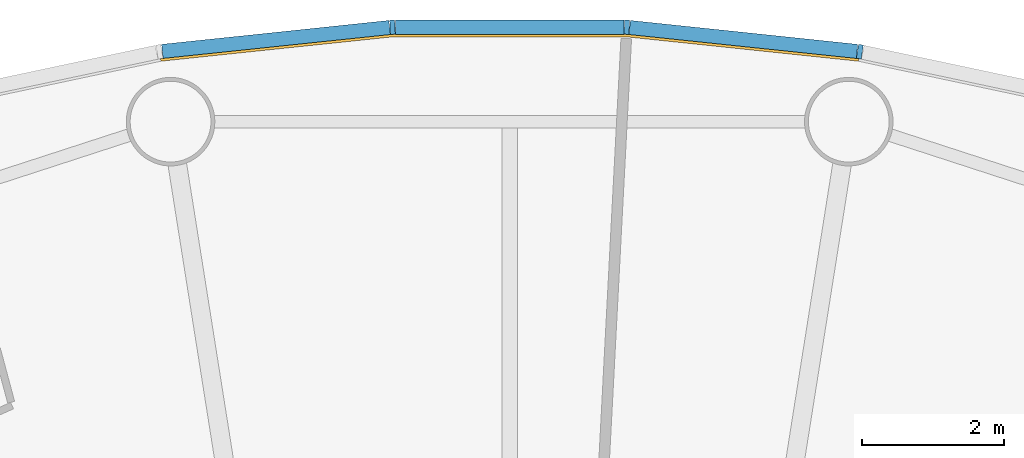
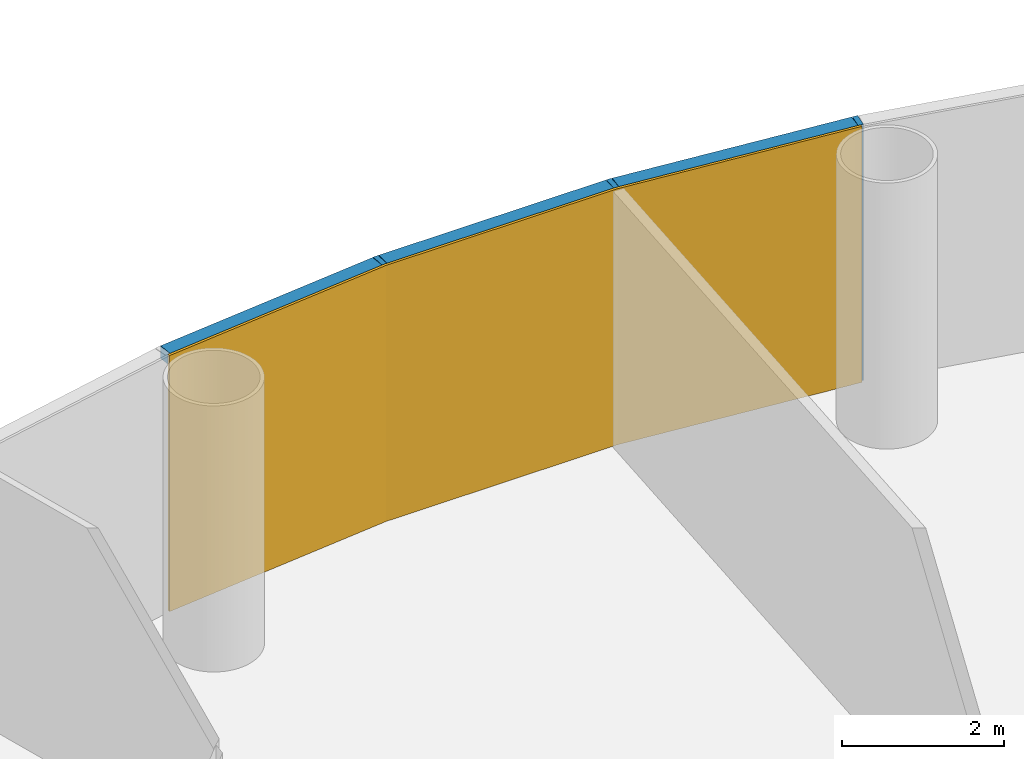
# One storey, part 11 of 13: 6 members, 1 curtain wall.
"""IFC4 building model written with IfcOpenShell, lengths in metres."""

from ifc_helpers import new_model, si_unit, direction, frame, origin, origin_2d, place, context, subcontext, project, spatial, polyline, rectangle, outline, extrude, material, layer, layer_set, material_profile, profile_set, type_object, element, aggregate, save


model = new_model("IFC4")

# Units and contexts
model_context = context("Model", 3, precision=1e-05, world=origin(), true_north=direction((0.0, 1.0)))
body_context = subcontext(model_context, "Body", "Model", "MODEL_VIEW")
ifc_project = project(units=[si_unit("LENGTHUNIT", "METRE"), si_unit("AREAUNIT", "SQUARE_METRE"), si_unit("VOLUMEUNIT", "CUBIC_METRE"), si_unit("PLANEANGLEUNIT", "RADIAN"), si_unit("MASSUNIT", "GRAM", prefix="KILO")], contexts=[model_context])

# Member
ifc_material_1 = material(Name="Anodised aluminium", Category="aluminium")
ifc_material_profile_1 = material_profile(ifc_material_1, rectangle(XDim=0.070068359375, YDim=0.199951171875, at=origin_2d()), Name="Mullion 70 x 200 mm anodised aluminium")
ifc_profile_set_1 = profile_set([ifc_material_profile_1], Name="Anodised aluminium")
member_type_1 = type_object("IfcMemberType", Name="Mullion 70 x 200 mm anodised aluminium", PredefinedType="MULLION", material=ifc_profile_set_1)
site_placement = place(None, origin())
building_placement = place(site_placement, origin())
storey_placement = place(building_placement, frame((0.0, 0.0, 88.0)))
member_1_placement = place(storey_placement, frame((94.943359375, 111.2109375, 0.0), z_axis=(0.0, 0.0, 1.0), x_axis=(-0.987688340595, 0.15643446504, 0.0)))
member_1 = element("IfcMember", 1, at=member_1_placement, type_object=member_type_1, Name="MULLION L19-12", PredefinedType="MULLION", context=body_context, shape_type="SweptSolid", body=[
    extrude(rectangle(XDim=0.070068359375, YDim=0.199951171875, at=origin_2d()), origin(), (0.0, 0.0, 1.0), 3.85009765625),
])

member_2_placement = place(storey_placement, frame((91.65380859375, 111.556640625, 0.0), z_axis=(0.0, 0.0, 1.0), x_axis=(-0.998629534755, 0.052335956243, 0.0)))
member_2 = element("IfcMember", 2, at=member_2_placement, type_object=member_type_1, Name="MULLION L19-13", PredefinedType="MULLION", context=body_context, shape_type="SweptSolid", body=[
    extrude(rectangle(XDim=0.070068359375, YDim=0.199951171875, at=origin_2d()), origin(), (0.0, 0.0, 1.0), 3.85009765625),
])

member_3_placement = place(storey_placement, frame((88.34619140625, 111.556640625, 0.0), z_axis=(0.0, 0.0, 1.0), x_axis=(-0.998629534755, -0.052335956243, 0.0)))
member_3 = element("IfcMember", 3, at=member_3_placement, type_object=member_type_1, Name="MULLION L19-14", PredefinedType="MULLION", context=body_context, shape_type="SweptSolid", body=[
    extrude(rectangle(XDim=0.070068359375, YDim=0.199951171875, at=origin_2d()), origin(), (0.0, 0.0, 1.0), 3.85009765625),
])

ifc_material_2 = material(Name="Anodised aluminium", Category="aluminium")
ifc_material_profile_2 = material_profile(ifc_material_2, rectangle(XDim=0.199951171875, YDim=0.18994140625, at=origin_2d()), Name="Transom 190 x 200 mm anodised aluminium")
ifc_profile_set_2 = profile_set([ifc_material_profile_2], Name="Anodised aluminium")
member_type_2 = type_object("IfcMemberType", Name="Transom 190 x 200 mm anodised aluminium", PredefinedType="USERDEFINED", material=ifc_profile_set_2)
member_4_placement = place(storey_placement, frame((94.9033203125, 111.21533203125, 3.7548828125), z_axis=(-0.994519537956, 0.104550890115, 0.0), x_axis=(-0.104550890115, -0.994519537956, 0.0)))
member_4 = element("IfcMember", 4, at=member_4_placement, type_object=member_type_2, Name="TRANSOM L19-12", ObjectType="TRANSOM", PredefinedType="USERDEFINED", context=body_context, shape_type="SweptSolid", body=[
    extrude(rectangle(XDim=0.199951171875, YDim=0.18994140625, at=origin_2d()), origin(), (0.0, 0.0, 1.0), 3.22705078125),
])

member_5_placement = place(storey_placement, frame((91.613525390625, 111.556884765625, 3.7548828125), z_axis=(-1.0, 0.0, 0.0), x_axis=(0.0, -1.0, 0.0)))
member_5 = element("IfcMember", 5, at=member_5_placement, type_object=member_type_2, Name="TRANSOM L19-13", ObjectType="TRANSOM", PredefinedType="USERDEFINED", context=body_context, shape_type="SweptSolid", body=[
    extrude(rectangle(XDim=0.199951171875, YDim=0.18994140625, at=origin_2d()), origin(), (0.0, 0.0, 1.0), 3.22705078125),
])

member_6_placement = place(storey_placement, frame((88.30615234375, 111.552734375, 3.7548828125), z_axis=(-0.994519537956, -0.104550890115, 0.0), x_axis=(0.104550890115, -0.994519537956, 0.0)))
member_6 = element("IfcMember", 6, at=member_6_placement, type_object=member_type_2, Name="TRANSOM L19-14", ObjectType="TRANSOM", PredefinedType="USERDEFINED", context=body_context, shape_type="SweptSolid", body=[
    extrude(rectangle(XDim=0.199951171875, YDim=0.18994140625, at=origin_2d()), origin(), (0.0, 0.0, 1.0), 3.22705078125),
])

# Site, building, storey
site = spatial("IfcSite", under=ifc_project, at=site_placement, CompositionType="ELEMENT")
building = spatial("IfcBuilding", under=site, at=building_placement, Name="Entoto Ring Tower", CompositionType="ELEMENT")
storey = spatial("IfcBuildingStorey", under=building, at=storey_placement, Name="L19", CompositionType="ELEMENT", Elevation=88.0)

# Curtain wall
ifc_material_3 = material(Name="Clear low-iron glass", Category="glass")
ifc_layer = layer(ifc_material_3, 0.035888671875)
ifc_layer_set = layer_set([ifc_layer], Name="Clear low-iron glass")
curtain_wall_type = type_object("IfcCurtainWallType", Name="Curtain wall system CW2 glazing 36 mm", PredefinedType="NOTDEFINED", material=ifc_layer_set)
curtain_wall_placement = place(storey_placement, origin())
curtain_wall = element("IfcCurtainWall", 7, at=curtain_wall_placement, inside=storey, type_object=curtain_wall_type, Name="CW2 L19-05", PredefinedType="NOTDEFINED", context=body_context, shape_type="SweptSolid", body=[
    extrude(outline(polyline([(94.927734375, 111.1123046875), (91.648681640625, 111.456787109375), (88.351318359375, 111.456787109375), (85.072265625, 111.1123046875), (85.077880859375, 111.07666015625), (88.353271484375, 111.4208984375), (91.646728515625, 111.4208984375), (94.922119140625, 111.07666015625), (94.927734375, 111.1123046875)])), origin(), (0.0, 0.0, 1.0), 3.85009765625),
])

aggregate(curtain_wall, [member_1, member_2, member_3, member_4, member_5, member_6])

save(model, "model.ifc")
